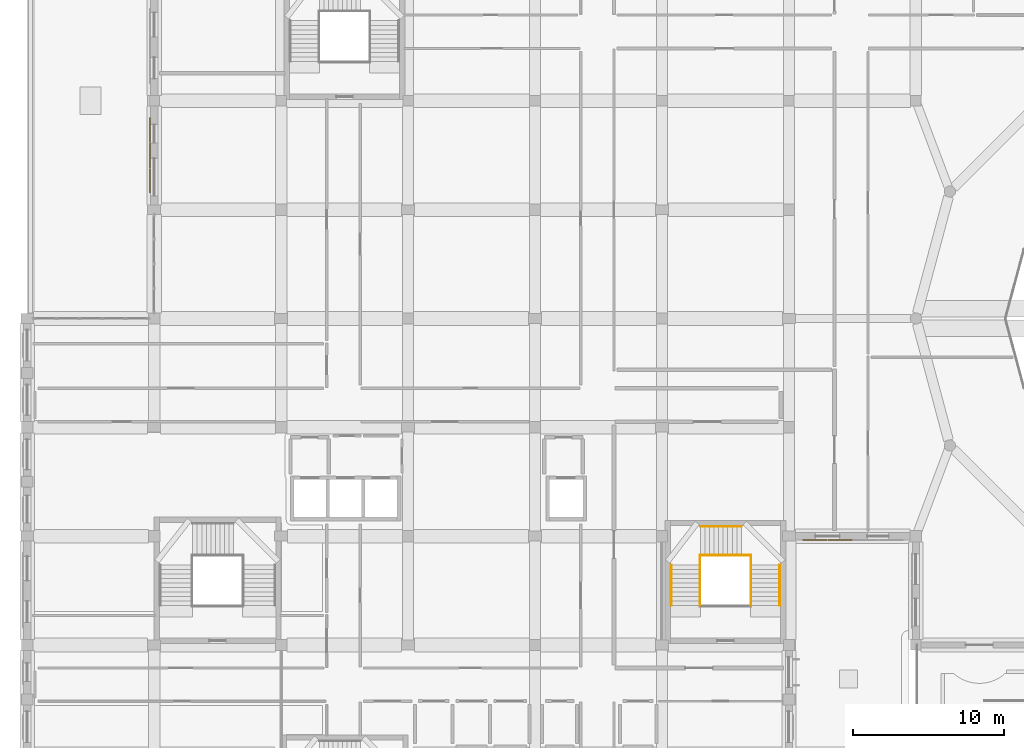
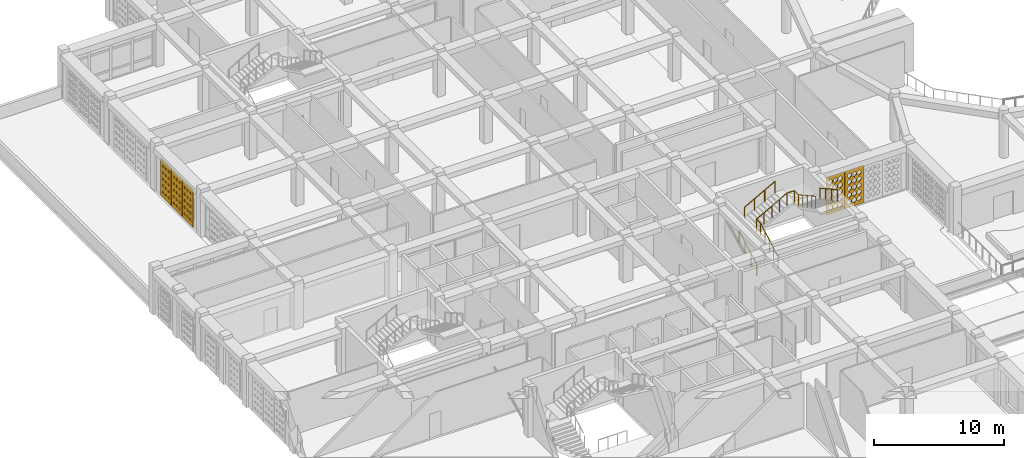
# One storey, part 75 of 100: 6 railings, 5 coverings.
"""IFC4 building model written with IfcOpenShell, lengths in metres."""

from ifc_helpers import new_model, si_unit, derived_unit, direction, frame, origin, origin_2d, place, context, subcontext, project, spatial, polyline, circle, outline, extrude, material, layer, layer_set, type_object, element, save


model = new_model("IFC4")

# Units and contexts
model_context = context("Model", 3, precision=1e-05, world=origin(), true_north=direction((0.0, 1.0)))
body_context = subcontext(model_context, "Body", "Model", "MODEL_VIEW")
ifc_project = project(units=[si_unit("LENGTHUNIT", "METRE"), si_unit("AREAUNIT", "SQUARE_METRE"), si_unit("VOLUMEUNIT", "CUBIC_METRE"), si_unit("PLANEANGLEUNIT", "RADIAN"), si_unit("MASSUNIT", "GRAM", prefix="KILO"), derived_unit("THERMALTRANSMITTANCEUNIT", [(si_unit("POWERUNIT", "WATT"), 1), (si_unit("LENGTHUNIT", "METRE"), -2), (si_unit("THERMODYNAMICTEMPERATUREUNIT", "KELVIN"), -1)])], contexts=[model_context])

# Site, building, storey
site_placement = place(None, origin())
site = spatial("IfcSite", under=ifc_project, at=site_placement, CompositionType="ELEMENT")
building_placement = place(site_placement, origin())
building = spatial("IfcBuilding", under=site, at=building_placement, Name="Veybourne Emporium", CompositionType="ELEMENT")
storey_placement = place(building_placement, frame((0.0, 0.0, 14.39990234375)))
storey = spatial("IfcBuildingStorey", under=building, at=storey_placement, Name="L03", CompositionType="ELEMENT", Elevation=14.39990234375)

# Railings
ifc_material_1 = material(Name="Brushed Stainless Steel", Category="steel")
railing_type_1 = type_object("IfcRailingType", Name="Guard_GR-01", PredefinedType="GUARDRAIL", material=ifc_material_1)
railing_1_placement = place(storey_placement, frame((44.510009765625, 31.39990234375, 0.0)))
element("IfcRailing", 1, at=railing_1_placement, inside=storey, type_object=railing_type_1, Name="L03 ST-05 stair guard 1", PredefinedType="GUARDRAIL", context=body_context, shape_type="SweptSolid", body=[
    extrude(circle(Radius=0.02392578125, at=origin_2d()), frame((0.0, 0.0, 1.1259765625), z_axis=(0.0, 0.874172188743, 0.48561608749), x_axis=(-1.0, 0.0, 0.0)), (0.0, 0.0, 1.0), 3.0888671875),
    extrude(circle(Radius=0.02392578125, at=origin_2d()), frame((0.0, 2.7001953125, 2.6259765625), z_axis=(0.0, 1.0, 0.0), x_axis=(-1.0, 0.0, 0.0)), (0.0, 0.0, 1.0), 0.639892578125),
    extrude(circle(Radius=0.02099609375, at=origin_2d()), origin(), (0.0, 0.0, 1.0), 1.101806640625),
    extrude(circle(Radius=0.02099609375, at=origin_2d()), frame((0.0, 0.675048828125, 0.375)), (0.0, 0.0, 1.0), 1.101806640625),
    extrude(circle(Radius=0.02099609375, at=origin_2d()), frame((0.0, 1.35009765625, 0.75)), (0.0, 0.0, 1.0), 1.101806640625),
    extrude(circle(Radius=0.02099609375, at=origin_2d()), frame((0.0, 2.025146484375, 1.125)), (0.0, 0.0, 1.0), 1.101806640625),
    extrude(circle(Radius=0.02099609375, at=origin_2d()), frame((0.0, 2.7001953125, 1.5)), (0.0, 0.0, 1.0), 1.101806640625),
    extrude(circle(Radius=0.02099609375, at=origin_2d()), frame((0.0, 3.340087890625, 1.5)), (0.0, 0.0, 1.0), 1.101806640625),
])
railing_2_placement = place(storey_placement, frame((44.510009765625, 34.739990234375, 1.5)))
element("IfcRailing", 2, at=railing_2_placement, inside=storey, type_object=railing_type_1, Name="L03 ST-05 stair guard 2", PredefinedType="GUARDRAIL", context=body_context, shape_type="SweptSolid", body=[
    extrude(circle(Radius=0.02392578125, at=origin_2d()), frame((0.0, 0.0, 1.1259765625), z_axis=(0.87715976088, 0.0, 0.480198660861), x_axis=(0.0, 1.0, 0.0)), (0.0, 0.0, 1.0), 3.123779296875),
    extrude(circle(Radius=0.02392578125, at=origin_2d()), frame((2.739990234375, 0.0, 2.6259765625), z_axis=(1.0, 0.0, 0.0), x_axis=(0.0, 1.0, 0.0)), (0.0, 0.0, 1.0), 0.639892578125),
    extrude(circle(Radius=0.02099609375, at=origin_2d()), origin(), (0.0, 0.0, 1.0), 1.101806640625),
    extrude(circle(Radius=0.02099609375, at=origin_2d()), frame((0.68505859375, 0.0, 0.375)), (0.0, 0.0, 1.0), 1.101806640625),
    extrude(circle(Radius=0.02099609375, at=origin_2d()), frame((1.3701171875, 0.0, 0.75)), (0.0, 0.0, 1.0), 1.101806640625),
    extrude(circle(Radius=0.02099609375, at=origin_2d()), frame((2.054931640625, 0.0, 1.125)), (0.0, 0.0, 1.0), 1.101806640625),
    extrude(circle(Radius=0.02099609375, at=origin_2d()), frame((2.739990234375, 0.0, 1.5)), (0.0, 0.0, 1.0), 1.101806640625),
    extrude(circle(Radius=0.02099609375, at=origin_2d()), frame((3.3798828125, 0.0, 1.5)), (0.0, 0.0, 1.0), 1.101806640625),
])
railing_3_placement = place(storey_placement, frame((47.889892578125, 34.739990234375, 3.0)))
element("IfcRailing", 3, at=railing_3_placement, inside=storey, type_object=railing_type_1, Name="L03 ST-05 stair guard 3", PredefinedType="GUARDRAIL", context=body_context, shape_type="SweptSolid", body=[
    extrude(circle(Radius=0.02392578125, at=origin_2d()), frame((0.0, 0.0, 1.1259765625), z_axis=(0.0, -1.0, 0.0), x_axis=(1.0, 0.0, 0.0)), (0.0, 0.0, 1.0), 0.639892578125),
    extrude(circle(Radius=0.02392578125, at=origin_2d()), frame((0.0, -0.639892578125, 1.1259765625), z_axis=(0.0, -0.874172188743, 0.48561608749), x_axis=(1.0, 0.0, 0.0)), (0.0, 0.0, 1.0), 3.0888671875),
    extrude(circle(Radius=0.02099609375, at=origin_2d()), origin(), (0.0, 0.0, 1.0), 1.101806640625),
    extrude(circle(Radius=0.02099609375, at=origin_2d()), frame((0.0, -0.639892578125, 0.0)), (0.0, 0.0, 1.0), 1.101806640625),
    extrude(circle(Radius=0.02099609375, at=origin_2d()), frame((0.0, -1.31494140625, 0.375)), (0.0, 0.0, 1.0), 1.101806640625),
    extrude(circle(Radius=0.02099609375, at=origin_2d()), frame((0.0, -1.989990234375, 0.75)), (0.0, 0.0, 1.0), 1.101806640625),
    extrude(circle(Radius=0.02099609375, at=origin_2d()), frame((0.0, -2.6650390625, 1.125)), (0.0, 0.0, 1.0), 1.101806640625),
    extrude(circle(Radius=0.02099609375, at=origin_2d()), frame((0.0, -3.340087890625, 1.5)), (0.0, 0.0, 1.0), 1.101806640625),
])
railing_type_2 = type_object("IfcRailingType", Name="Handrail_HR-01", PredefinedType="HANDRAIL", material=ifc_material_1)
railing_4_placement = place(storey_placement, frame((42.610107421875, 31.39990234375, 0.150146484375)))
element("IfcRailing", 4, at=railing_4_placement, inside=storey, type_object=railing_type_2, Name="L03 ST-05 pitch handrail 1", PredefinedType="HANDRAIL", context=body_context, shape_type="SweptSolid", body=[
    extrude(circle(Radius=0.02392578125, at=origin_2d()), frame((0.0, 0.0, 0.92578125), z_axis=(0.0, 0.874172188743, 0.48561608749), x_axis=(-1.0, 0.0, 0.0)), (0.0, 0.0, 1.0), 3.0888671875),
    extrude(circle(Radius=0.02099609375, at=origin_2d()), frame((0.0, 0.0, -0.14990234375)), (0.0, 0.0, 1.0), 1.0517578125),
    extrude(circle(Radius=0.02099609375, at=origin_2d()), frame((0.0, 0.900146484375, 0.35009765625)), (0.0, 0.0, 1.0), 1.0517578125),
    extrude(circle(Radius=0.02099609375, at=origin_2d()), frame((0.0, 1.800048828125, 0.85009765625)), (0.0, 0.0, 1.0), 1.0517578125),
    extrude(circle(Radius=0.02099609375, at=origin_2d()), frame((0.0, 2.7001953125, 1.35009765625)), (0.0, 0.0, 1.0), 1.0517578125),
])
railing_5_placement = place(storey_placement, frame((44.550048828125, 36.639892578125, 1.650146484375)))
element("IfcRailing", 5, at=railing_5_placement, inside=storey, type_object=railing_type_2, Name="L03 ST-05 pitch handrail 2", PredefinedType="HANDRAIL", context=body_context, shape_type="SweptSolid", body=[
    extrude(circle(Radius=0.02392578125, at=origin_2d()), frame((0.0, 0.0, 0.92578125), z_axis=(0.87415354758, 0.0, 0.485649642493), x_axis=(0.0, 1.0, 0.0)), (0.0, 0.0, 1.0), 3.088623046875),
    extrude(circle(Radius=0.02099609375, at=origin_2d()), frame((0.0, 0.0, -0.14990234375)), (0.0, 0.0, 1.0), 1.0517578125),
    extrude(circle(Radius=0.02099609375, at=origin_2d()), frame((0.89990234375, 0.0, 0.35009765625)), (0.0, 0.0, 1.0), 1.0517578125),
    extrude(circle(Radius=0.02099609375, at=origin_2d()), frame((1.800048828125, 0.0, 0.85009765625)), (0.0, 0.0, 1.0), 1.0517578125),
    extrude(circle(Radius=0.02099609375, at=origin_2d()), frame((2.699951171875, 0.0, 1.35009765625)), (0.0, 0.0, 1.0), 1.0517578125),
])
railing_6_placement = place(storey_placement, frame((49.7900390625, 34.10009765625, 3.150146484375)))
element("IfcRailing", 6, at=railing_6_placement, inside=storey, type_object=railing_type_2, Name="L03 ST-05 pitch handrail 3", PredefinedType="HANDRAIL", context=body_context, shape_type="SweptSolid", body=[
    extrude(circle(Radius=0.02392578125, at=origin_2d()), frame((0.0, 0.0, 0.92578125), z_axis=(0.0, -0.874172188743, 0.48561608749), x_axis=(1.0, 0.0, 0.0)), (0.0, 0.0, 1.0), 3.0888671875),
    extrude(circle(Radius=0.02099609375, at=origin_2d()), frame((0.0, 0.0, -0.14990234375)), (0.0, 0.0, 1.0), 1.0517578125),
    extrude(circle(Radius=0.02099609375, at=origin_2d()), frame((0.0, -0.900146484375, 0.35009765625)), (0.0, 0.0, 1.0), 1.0517578125),
    extrude(circle(Radius=0.02099609375, at=origin_2d()), frame((0.0, -1.800048828125, 0.85009765625)), (0.0, 0.0, 1.0), 1.0517578125),
    extrude(circle(Radius=0.02099609375, at=origin_2d()), frame((0.0, -2.7001953125, 1.35009765625)), (0.0, 0.0, 1.0), 1.0517578125),
])

# Coverings
ifc_material_2 = material(Name="Warm-White Perforated Aluminium Screen Alloy", Category="aluminium")
ifc_layer_1 = layer(ifc_material_2, 0.06005859375)
ifc_layer_set_1 = layer_set([ifc_layer_1], Name="Warm-White Perforated Aluminium Screen Alloy")
covering_type_1 = type_object("IfcCoveringType", Name="WaveScreen_SCR-01", PredefinedType="CLADDING", material=ifc_layer_set_1)
covering_1_placement = place(storey_placement, frame((8.10205078125, 62.867431640625, 1.815185546875), z_axis=(1.0, 0.0, 0.0), x_axis=(0.0, 1.0, 0.0)))
element("IfcCovering", 7, at=covering_1_placement, inside=storey, type_object=covering_type_1, Name="L03 wave-perforated aluminium screen SCR-01 (10.3)", PredefinedType="CLADDING", context=body_context, shape_type="SweptSolid", body=[
    extrude(outline(polyline([(-0.81982421875, -1.7548828125), (0.81982421875, -1.7548828125), (0.81982421875, 1.7548828125), (-0.81982421875, 1.7548828125), (-0.81982421875, -1.7548828125)]), holes=[polyline([(-0.433349609375, -1.112060546875), (-0.32861328125, -1.186279296875), (-0.32861328125, -1.269775390625), (-0.433349609375, -1.343994140625), (-0.5380859375, -1.269775390625), (-0.5380859375, -1.186279296875), (-0.433349609375, -1.112060546875)]), polyline([(-0.433349609375, -0.502197265625), (-0.331787109375, -0.57373046875), (-0.331787109375, -0.654296875), (-0.433349609375, -0.725830078125), (-0.534912109375, -0.654296875), (-0.534912109375, -0.57373046875), (-0.433349609375, -0.502197265625)]), polyline([(-0.433349609375, 0.110107421875), (-0.333251953125, 0.03955078125), (-0.333251953125, -0.03955078125), (-0.433349609375, -0.110107421875), (-0.533447265625, -0.03955078125), (-0.533447265625, 0.03955078125), (-0.433349609375, 0.110107421875)]), polyline([(-0.433349609375, 0.724853515625), (-0.332763671875, 0.65380859375), (-0.332763671875, 0.57421875), (-0.433349609375, 0.503173828125), (-0.533935546875, 0.57421875), (-0.533935546875, 0.65380859375), (-0.433349609375, 0.724853515625)]), polyline([(-0.433349609375, 1.341796875), (-0.330078125, 1.26904296875), (-0.330078125, 1.18701171875), (-0.433349609375, 1.114013671875), (-0.53662109375, 1.18701171875), (-0.53662109375, 1.26904296875), (-0.433349609375, 1.341796875)]), polyline([(0.0, -1.1142578125), (0.10302734375, -1.18701171875), (0.10302734375, -1.268798828125), (0.0, -1.341796875), (-0.10302734375, -1.268798828125), (-0.10302734375, -1.18701171875), (0.0, -1.1142578125)]), polyline([(0.0, -0.50341796875), (0.1005859375, -0.57421875), (0.1005859375, -0.65380859375), (0.0, -0.724609375), (-0.1005859375, -0.65380859375), (-0.1005859375, -0.57421875), (0.0, -0.50341796875)]), polyline([(0.0, 0.110107421875), (0.10009765625, 0.03955078125), (0.10009765625, -0.03955078125), (0.0, -0.110107421875), (-0.10009765625, -0.03955078125), (-0.10009765625, 0.03955078125), (0.0, 0.110107421875)]), polyline([(0.0, 0.725830078125), (0.1015625, 0.654296875), (0.1015625, 0.57373046875), (0.0, 0.502197265625), (-0.1015625, 0.57373046875), (-0.1015625, 0.654296875), (0.0, 0.725830078125)]), polyline([(0.0, 1.343994140625), (0.10498046875, 1.269775390625), (0.10498046875, 1.186279296875), (0.0, 1.112060546875), (-0.10498046875, 1.186279296875), (-0.10498046875, 1.269775390625), (0.0, 1.343994140625)]), polyline([(0.433349609375, -1.115966796875), (0.534912109375, -1.187744140625), (0.534912109375, -1.268310546875), (0.433349609375, -1.340087890625), (0.33154296875, -1.268310546875), (0.33154296875, -1.187744140625), (0.433349609375, -1.115966796875)]), polyline([(0.433349609375, -0.50390625), (0.533447265625, -0.574462890625), (0.533447265625, -0.653564453125), (0.433349609375, -0.72412109375), (0.333251953125, -0.653564453125), (0.333251953125, -0.574462890625), (0.433349609375, -0.50390625)]), polyline([(0.433349609375, 0.110595703125), (0.53369140625, 0.039794921875), (0.53369140625, -0.039794921875), (0.433349609375, -0.110595703125), (0.3330078125, -0.039794921875), (0.3330078125, 0.039794921875), (0.433349609375, 0.110595703125)]), polyline([(0.433349609375, 0.7275390625), (0.5361328125, 0.65478515625), (0.5361328125, 0.572998046875), (0.433349609375, 0.50048828125), (0.33056640625, 0.572998046875), (0.33056640625, 0.65478515625), (0.433349609375, 0.7275390625)]), polyline([(0.433349609375, 1.3466796875), (0.540283203125, 1.270751953125), (0.540283203125, 1.185302734375), (0.433349609375, 1.109375), (0.326171875, 1.185302734375), (0.326171875, 1.270751953125), (0.433349609375, 1.3466796875)])]), origin(), (0.0, 0.0, 1.0), 0.06005859375),
])
ifc_layer_2 = layer(ifc_material_2, 0.06005859375)
ifc_layer_set_2 = layer_set([ifc_layer_2], Name="Warm-White Perforated Aluminium Screen Alloy")
covering_type_2 = type_object("IfcCoveringType", Name="WaveScreen_SCR-03", PredefinedType="CLADDING", material=ifc_layer_set_2)
covering_2_placement = place(storey_placement, frame((8.10205078125, 59.507568359375, 1.815185546875), z_axis=(1.0, 0.0, 0.0), x_axis=(0.0, 1.0, 0.0)))
element("IfcCovering", 8, at=covering_2_placement, inside=storey, type_object=covering_type_2, Name="L03 wave-perforated aluminium screen SCR-03 (10.1)", PredefinedType="CLADDING", context=body_context, shape_type="SweptSolid", body=[
    extrude(outline(polyline([(-0.81982421875, -1.7548828125), (0.81982421875, -1.7548828125), (0.81982421875, 1.7548828125), (-0.81982421875, 1.7548828125), (-0.81982421875, -1.7548828125)]), holes=[polyline([(-0.433349609375, -1.0810546875), (-0.302978515625, -1.175048828125), (-0.302978515625, -1.281005859375), (-0.433349609375, -1.375), (-0.5634765625, -1.281005859375), (-0.5634765625, -1.175048828125), (-0.433349609375, -1.0810546875)]), polyline([(-0.433349609375, -0.478271484375), (-0.312255859375, -0.565185546875), (-0.312255859375, -0.662841796875), (-0.433349609375, -0.749755859375), (-0.554443359375, -0.662841796875), (-0.554443359375, -0.565185546875), (-0.433349609375, -0.478271484375)]), polyline([(-0.433349609375, 0.12646484375), (-0.31982421875, 0.04541015625), (-0.31982421875, -0.04541015625), (-0.433349609375, -0.12646484375), (-0.546875, -0.04541015625), (-0.546875, 0.04541015625), (-0.433349609375, 0.12646484375)]), polyline([(-0.433349609375, 0.73291015625), (-0.325927734375, 0.65673828125), (-0.325927734375, 0.5712890625), (-0.433349609375, 0.4951171875), (-0.54052734375, 0.5712890625), (-0.54052734375, 0.65673828125), (-0.433349609375, 0.73291015625)]), polyline([(-0.433349609375, 1.341552734375), (-0.330322265625, 1.268798828125), (-0.330322265625, 1.18701171875), (-0.433349609375, 1.114501953125), (-0.536376953125, 1.18701171875), (-0.536376953125, 1.268798828125), (-0.433349609375, 1.341552734375)]), polyline([(0.0, -1.086181640625), (0.1259765625, -1.177001953125), (0.1259765625, -1.279052734375), (0.0, -1.36962890625), (-0.1259765625, -1.279052734375), (-0.1259765625, -1.177001953125), (0.0, -1.086181640625)]), polyline([(0.0, -0.482666015625), (0.117431640625, -0.566650390625), (0.117431640625, -0.661376953125), (0.0, -0.745361328125), (-0.117431640625, -0.661376953125), (-0.117431640625, -0.566650390625), (0.0, -0.482666015625)]), polyline([(0.0, 0.122802734375), (0.1103515625, 0.044189453125), (0.1103515625, -0.044189453125), (0.0, -0.122802734375), (-0.1103515625, -0.044189453125), (-0.1103515625, 0.044189453125), (0.0, 0.122802734375)]), polyline([(0.0, 0.730224609375), (0.10498046875, 0.65576171875), (0.10498046875, 0.572265625), (0.0, 0.497802734375), (-0.10498046875, 0.572265625), (-0.10498046875, 0.65576171875), (0.0, 0.730224609375)]), polyline([(0.0, 1.340087890625), (0.1015625, 1.268310546875), (0.1015625, 1.187744140625), (0.0, 1.115966796875), (-0.1015625, 1.187744140625), (-0.1015625, 1.268310546875), (0.0, 1.340087890625)]), polyline([(0.433349609375, -1.09130859375), (0.55517578125, -1.1787109375), (0.55517578125, -1.277099609375), (0.433349609375, -1.36474609375), (0.311279296875, -1.277099609375), (0.311279296875, -1.1787109375), (0.433349609375, -1.09130859375)]), polyline([(0.433349609375, -0.48681640625), (0.54736328125, -0.568115234375), (0.54736328125, -0.659912109375), (0.433349609375, -0.7412109375), (0.3193359375, -0.659912109375), (0.3193359375, -0.568115234375), (0.433349609375, -0.48681640625)]), polyline([(0.433349609375, 0.119384765625), (0.541015625, 0.04296875), (0.541015625, -0.04296875), (0.433349609375, -0.119384765625), (0.325439453125, -0.04296875), (0.325439453125, 0.04296875), (0.433349609375, 0.119384765625)]), polyline([(0.433349609375, 0.72802734375), (0.53662109375, 0.655029296875), (0.53662109375, 0.572998046875), (0.433349609375, 0.5), (0.330078125, 0.572998046875), (0.330078125, 0.655029296875), (0.433349609375, 0.72802734375)]), polyline([(0.433349609375, 1.3388671875), (0.533935546875, 1.267822265625), (0.533935546875, 1.18798828125), (0.433349609375, 1.1171875), (0.332763671875, 1.18798828125), (0.332763671875, 1.267822265625), (0.433349609375, 1.3388671875)])]), origin(), (0.0, 0.0, 1.0), 0.06005859375),
])
covering_3_placement = place(storey_placement, frame((53.784912109375, 35.701904296875, 1.815185546875), z_axis=(0.0, 1.0, 0.0), x_axis=(-1.0, 0.0, 0.0)))
element("IfcCovering", 9, at=covering_3_placement, inside=storey, type_object=covering_type_2, Name="L03 wave-perforated aluminium screen SCR-03 (32.3)", PredefinedType="CLADDING", context=body_context, shape_type="SweptSolid", body=[
    extrude(outline(polyline([(-0.81982421875, -1.7548828125), (0.81982421875, -1.7548828125), (0.81982421875, 1.7548828125), (-0.81982421875, 1.7548828125), (-0.81982421875, -1.7548828125)]), holes=[polyline([(-0.433349609375, -0.964111328125), (-0.2470703125, -1.133056640625), (-0.2470703125, -1.322998046875), (-0.433349609375, -1.491943359375), (-0.61962890625, -1.322998046875), (-0.61962890625, -1.133056640625), (-0.433349609375, -0.964111328125)]), polyline([(-0.433349609375, -0.35009765625), (-0.2470703125, -0.51904296875), (-0.2470703125, -0.708984375), (-0.433349609375, -0.8779296875), (-0.61962890625, -0.708984375), (-0.61962890625, -0.51904296875), (-0.433349609375, -0.35009765625)]), polyline([(-0.433349609375, 0.263916015625), (-0.2470703125, 0.094970703125), (-0.2470703125, -0.094970703125), (-0.433349609375, -0.263916015625), (-0.61962890625, -0.094970703125), (-0.61962890625, 0.094970703125), (-0.433349609375, 0.263916015625)]), polyline([(-0.433349609375, 0.8779296875), (-0.2470703125, 0.708984375), (-0.2470703125, 0.51904296875), (-0.433349609375, 0.35009765625), (-0.61962890625, 0.51904296875), (-0.61962890625, 0.708984375), (-0.433349609375, 0.8779296875)]), polyline([(-0.433349609375, 1.48583984375), (-0.2470703125, 1.32080078125), (-0.2470703125, 1.135009765625), (-0.433349609375, 0.97021484375), (-0.61962890625, 1.135009765625), (-0.61962890625, 1.32080078125), (-0.433349609375, 1.48583984375)]), polyline([(0.0, -0.964111328125), (0.186279296875, -1.133056640625), (0.186279296875, -1.322998046875), (0.0, -1.491943359375), (-0.186279296875, -1.322998046875), (-0.186279296875, -1.133056640625), (0.0, -0.964111328125)]), polyline([(0.0, -0.35009765625), (0.186279296875, -0.51904296875), (0.186279296875, -0.708984375), (0.0, -0.8779296875), (-0.186279296875, -0.708984375), (-0.186279296875, -0.51904296875), (0.0, -0.35009765625)]), polyline([(0.0, 0.263916015625), (0.186279296875, 0.094970703125), (0.186279296875, -0.094970703125), (0.0, -0.263916015625), (-0.186279296875, -0.094970703125), (-0.186279296875, 0.094970703125), (0.0, 0.263916015625)]), polyline([(0.0, 0.8779296875), (0.186279296875, 0.708984375), (0.186279296875, 0.51904296875), (0.0, 0.35009765625), (-0.186279296875, 0.51904296875), (-0.186279296875, 0.708984375), (0.0, 0.8779296875)]), polyline([(0.0, 1.48974609375), (0.186279296875, 1.322265625), (0.186279296875, 1.1337890625), (0.0, 0.96630859375), (-0.186279296875, 1.1337890625), (-0.186279296875, 1.322265625), (0.0, 1.48974609375)]), polyline([(0.433349609375, -0.964111328125), (0.61962890625, -1.133056640625), (0.61962890625, -1.322998046875), (0.433349609375, -1.491943359375), (0.2470703125, -1.322998046875), (0.2470703125, -1.133056640625), (0.433349609375, -0.964111328125)]), polyline([(0.433349609375, -0.35009765625), (0.61962890625, -0.51904296875), (0.61962890625, -0.708984375), (0.433349609375, -0.8779296875), (0.2470703125, -0.708984375), (0.2470703125, -0.51904296875), (0.433349609375, -0.35009765625)]), polyline([(0.433349609375, 0.263916015625), (0.61962890625, 0.094970703125), (0.61962890625, -0.094970703125), (0.433349609375, -0.263916015625), (0.2470703125, -0.094970703125), (0.2470703125, 0.094970703125), (0.433349609375, 0.263916015625)]), polyline([(0.433349609375, 0.8779296875), (0.61962890625, 0.708984375), (0.61962890625, 0.51904296875), (0.433349609375, 0.35009765625), (0.2470703125, 0.51904296875), (0.2470703125, 0.708984375), (0.433349609375, 0.8779296875)]), polyline([(0.433349609375, 1.491943359375), (0.61962890625, 1.322998046875), (0.61962890625, 1.133056640625), (0.433349609375, 0.964111328125), (0.2470703125, 1.133056640625), (0.2470703125, 1.322998046875), (0.433349609375, 1.491943359375)])]), origin(), (0.0, 0.0, 1.0), 0.06005859375),
])
ifc_layer_3 = layer(ifc_material_2, 0.06005859375)
ifc_layer_set_3 = layer_set([ifc_layer_3], Name="Warm-White Perforated Aluminium Screen Alloy")
covering_type_3 = type_object("IfcCoveringType", Name="WaveScreen_SCR-04", PredefinedType="CLADDING", material=ifc_layer_set_3)
covering_4_placement = place(storey_placement, frame((8.10205078125, 61.1875, 1.815185546875), z_axis=(1.0, 0.0, 0.0), x_axis=(0.0, 1.0, 0.0)))
element("IfcCovering", 10, at=covering_4_placement, inside=storey, type_object=covering_type_3, Name="L03 wave-perforated aluminium screen SCR-04 (10.2)", PredefinedType="CLADDING", context=body_context, shape_type="SweptSolid", body=[
    extrude(outline(polyline([(-0.81982421875, -1.7548828125), (0.81982421875, -1.7548828125), (0.81982421875, 1.7548828125), (-0.81982421875, 1.7548828125), (-0.81982421875, -1.7548828125)]), holes=[polyline([(-0.433349609375, -1.099609375), (-0.318115234375, -1.181640625), (-0.318115234375, -1.2744140625), (-0.433349609375, -1.3564453125), (-0.548583984375, -1.2744140625), (-0.548583984375, -1.181640625), (-0.433349609375, -1.099609375)]), polyline([(-0.433349609375, -0.493408203125), (-0.32470703125, -0.570556640625), (-0.32470703125, -0.657470703125), (-0.433349609375, -0.734619140625), (-0.5419921875, -0.657470703125), (-0.5419921875, -0.570556640625), (-0.433349609375, -0.493408203125)]), polyline([(-0.433349609375, 0.11474609375), (-0.32958984375, 0.041259765625), (-0.32958984375, -0.041259765625), (-0.433349609375, -0.11474609375), (-0.537109375, -0.041259765625), (-0.537109375, 0.041259765625), (-0.433349609375, 0.11474609375)]), polyline([(-0.433349609375, 0.72509765625), (-0.33251953125, 0.654052734375), (-0.33251953125, 0.573974609375), (-0.433349609375, 0.5029296875), (-0.5341796875, 0.573974609375), (-0.5341796875, 0.654052734375), (-0.433349609375, 0.72509765625)]), polyline([(-0.433349609375, 1.337890625), (-0.333251953125, 1.267578125), (-0.333251953125, 1.1884765625), (-0.433349609375, 1.117919921875), (-0.533203125, 1.1884765625), (-0.533203125, 1.267578125), (-0.433349609375, 1.337890625)]), polyline([(0.0, -1.103515625), (0.112060546875, -1.18310546875), (0.112060546875, -1.27294921875), (0.0, -1.3525390625), (-0.112060546875, -1.27294921875), (-0.112060546875, -1.18310546875), (0.0, -1.103515625)]), polyline([(0.0, -0.496337890625), (0.106201171875, -0.57177734375), (0.106201171875, -0.65625), (0.0, -0.731689453125), (-0.106201171875, -0.65625), (-0.106201171875, -0.57177734375), (0.0, -0.496337890625)]), polyline([(0.0, 0.11279296875), (0.102294921875, 0.04052734375), (0.102294921875, -0.04052734375), (0.0, -0.11279296875), (-0.102294921875, -0.04052734375), (-0.102294921875, 0.04052734375), (0.0, 0.11279296875)]), polyline([(0.0, 0.724365234375), (0.100341796875, 0.65380859375), (0.100341796875, 0.57421875), (0.0, 0.503662109375), (-0.100341796875, 0.57421875), (-0.100341796875, 0.65380859375), (0.0, 0.724365234375)]), polyline([(0.0, 1.33837890625), (0.10009765625, 1.267578125), (0.10009765625, 1.188232421875), (0.0, 1.11767578125), (-0.10009765625, 1.188232421875), (-0.10009765625, 1.267578125), (0.0, 1.33837890625)]), polyline([(0.433349609375, -1.106689453125), (0.54248046875, -1.184326171875), (0.54248046875, -1.271484375), (0.433349609375, -1.34912109375), (0.32421875, -1.271484375), (0.32421875, -1.184326171875), (0.433349609375, -1.106689453125)]), polyline([(0.433349609375, -0.498779296875), (0.53759765625, -0.572509765625), (0.53759765625, -0.655517578125), (0.433349609375, -0.72900390625), (0.3291015625, -0.655517578125), (0.3291015625, -0.572509765625), (0.433349609375, -0.498779296875)]), polyline([(0.433349609375, 0.111328125), (0.534423828125, 0.0400390625), (0.534423828125, -0.0400390625), (0.433349609375, -0.111328125), (0.332275390625, -0.0400390625), (0.332275390625, 0.0400390625), (0.433349609375, 0.111328125)]), polyline([(0.433349609375, 0.72412109375), (0.533203125, 0.653564453125), (0.533203125, 0.574462890625), (0.433349609375, 0.50390625), (0.333251953125, 0.574462890625), (0.333251953125, 0.653564453125), (0.433349609375, 0.72412109375)]), polyline([(0.433349609375, 1.339111328125), (0.5341796875, 1.26806640625), (0.5341796875, 1.18798828125), (0.433349609375, 1.116943359375), (0.33251953125, 1.18798828125), (0.33251953125, 1.26806640625), (0.433349609375, 1.339111328125)])]), origin(), (0.0, 0.0, 1.0), 0.06005859375),
])
covering_5_placement = place(storey_placement, frame((52.10498046875, 35.701904296875, 1.815185546875), z_axis=(0.0, 1.0, 0.0), x_axis=(-1.0, 0.0, 0.0)))
element("IfcCovering", 11, at=covering_5_placement, inside=storey, type_object=covering_type_3, Name="L03 wave-perforated aluminium screen SCR-04 (32.4)", PredefinedType="CLADDING", context=body_context, shape_type="SweptSolid", body=[
    extrude(outline(polyline([(-0.81982421875, -1.7548828125), (0.81982421875, -1.7548828125), (0.81982421875, 1.7548828125), (-0.81982421875, 1.7548828125), (-0.81982421875, -1.7548828125)]), holes=[polyline([(-0.433349609375, -0.964111328125), (-0.2470703125, -1.133056640625), (-0.2470703125, -1.322998046875), (-0.433349609375, -1.491943359375), (-0.61962890625, -1.322998046875), (-0.61962890625, -1.133056640625), (-0.433349609375, -0.964111328125)]), polyline([(-0.433349609375, -0.35009765625), (-0.2470703125, -0.51904296875), (-0.2470703125, -0.708984375), (-0.433349609375, -0.8779296875), (-0.61962890625, -0.708984375), (-0.61962890625, -0.51904296875), (-0.433349609375, -0.35009765625)]), polyline([(-0.433349609375, 0.263916015625), (-0.2470703125, 0.094970703125), (-0.2470703125, -0.094970703125), (-0.433349609375, -0.263916015625), (-0.61962890625, -0.094970703125), (-0.61962890625, 0.094970703125), (-0.433349609375, 0.263916015625)]), polyline([(-0.433349609375, 0.8779296875), (-0.2470703125, 0.708984375), (-0.2470703125, 0.51904296875), (-0.433349609375, 0.35009765625), (-0.61962890625, 0.51904296875), (-0.61962890625, 0.708984375), (-0.433349609375, 0.8779296875)]), polyline([(-0.433349609375, 1.491943359375), (-0.2470703125, 1.322998046875), (-0.2470703125, 1.133056640625), (-0.433349609375, 0.964111328125), (-0.61962890625, 1.133056640625), (-0.61962890625, 1.322998046875), (-0.433349609375, 1.491943359375)]), polyline([(0.0, -0.964111328125), (0.186279296875, -1.133056640625), (0.186279296875, -1.322998046875), (0.0, -1.491943359375), (-0.186279296875, -1.322998046875), (-0.186279296875, -1.133056640625), (0.0, -0.964111328125)]), polyline([(0.0, -0.35009765625), (0.186279296875, -0.51904296875), (0.186279296875, -0.708984375), (0.0, -0.8779296875), (-0.186279296875, -0.708984375), (-0.186279296875, -0.51904296875), (0.0, -0.35009765625)]), polyline([(0.0, 0.263916015625), (0.186279296875, 0.094970703125), (0.186279296875, -0.094970703125), (0.0, -0.263916015625), (-0.186279296875, -0.094970703125), (-0.186279296875, 0.094970703125), (0.0, 0.263916015625)]), polyline([(0.0, 0.8779296875), (0.186279296875, 0.708984375), (0.186279296875, 0.51904296875), (0.0, 0.35009765625), (-0.186279296875, 0.51904296875), (-0.186279296875, 0.708984375), (0.0, 0.8779296875)]), polyline([(0.0, 1.491943359375), (0.186279296875, 1.322998046875), (0.186279296875, 1.133056640625), (0.0, 0.964111328125), (-0.186279296875, 1.133056640625), (-0.186279296875, 1.322998046875), (0.0, 1.491943359375)]), polyline([(0.433349609375, -0.964111328125), (0.61962890625, -1.133056640625), (0.61962890625, -1.322998046875), (0.433349609375, -1.491943359375), (0.2470703125, -1.322998046875), (0.2470703125, -1.133056640625), (0.433349609375, -0.964111328125)]), polyline([(0.433349609375, -0.35009765625), (0.61962890625, -0.51904296875), (0.61962890625, -0.708984375), (0.433349609375, -0.8779296875), (0.2470703125, -0.708984375), (0.2470703125, -0.51904296875), (0.433349609375, -0.35009765625)]), polyline([(0.433349609375, 0.263916015625), (0.61962890625, 0.094970703125), (0.61962890625, -0.094970703125), (0.433349609375, -0.263916015625), (0.2470703125, -0.094970703125), (0.2470703125, 0.094970703125), (0.433349609375, 0.263916015625)]), polyline([(0.433349609375, 0.8779296875), (0.61962890625, 0.708984375), (0.61962890625, 0.51904296875), (0.433349609375, 0.35009765625), (0.2470703125, 0.51904296875), (0.2470703125, 0.708984375), (0.433349609375, 0.8779296875)]), polyline([(0.433349609375, 1.491943359375), (0.61962890625, 1.322998046875), (0.61962890625, 1.133056640625), (0.433349609375, 0.964111328125), (0.2470703125, 1.133056640625), (0.2470703125, 1.322998046875), (0.433349609375, 1.491943359375)])]), origin(), (0.0, 0.0, 1.0), 0.06005859375),
])

save(model, "model.ifc")
